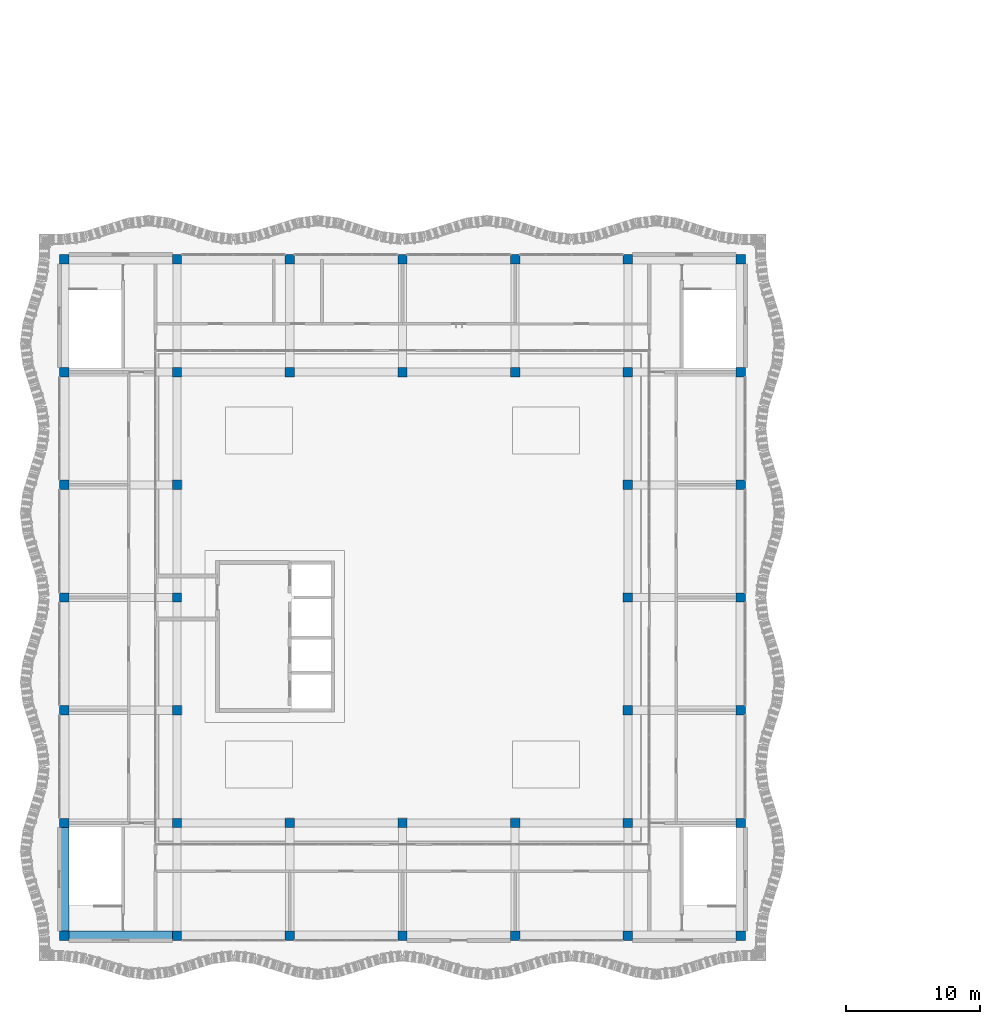
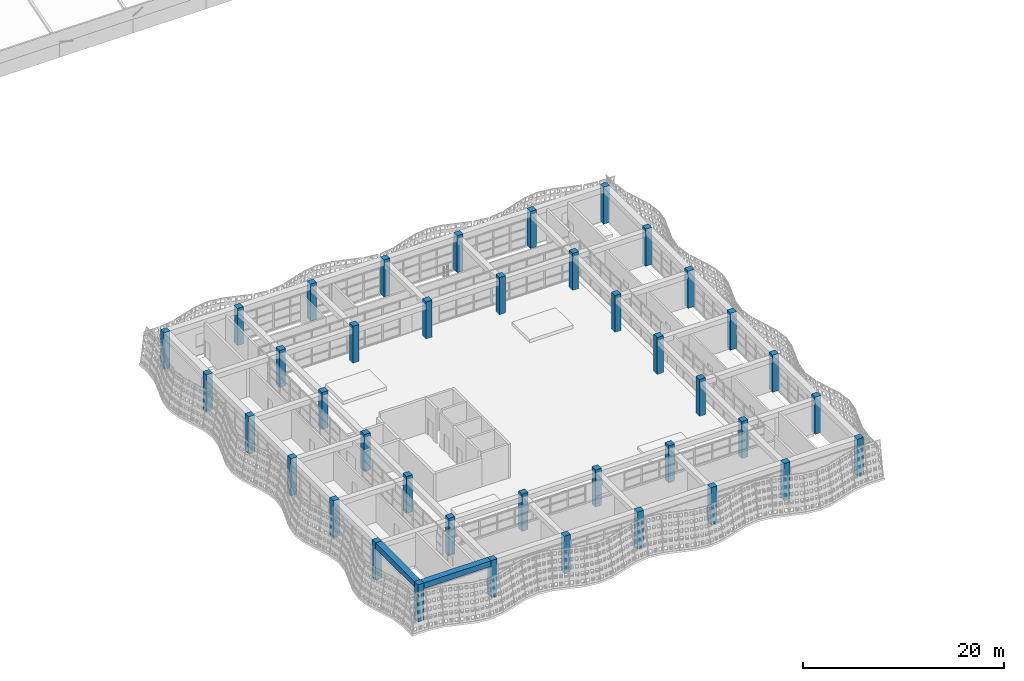
# One storey, part 1 of 85: 40 columns, 2 beams.
"""IFC4 building model written with IfcOpenShell, lengths in metres."""

from ifc_helpers import new_model, si_unit, direction, frame, origin, origin_2d, place, context, subcontext, project, spatial, rectangle, extrude, material, material_profile, profile_set, type_object, element, save


model = new_model("IFC4")

# Units and contexts
model_context = context("Model", 3, precision=1e-05, world=origin(), true_north=direction((0.0, 1.0)))
body_context = subcontext(model_context, "Body", "Model", "MODEL_VIEW")
ifc_project = project(units=[si_unit("LENGTHUNIT", "METRE"), si_unit("AREAUNIT", "SQUARE_METRE"), si_unit("VOLUMEUNIT", "CUBIC_METRE"), si_unit("PLANEANGLEUNIT", "RADIAN"), si_unit("MASSUNIT", "GRAM", prefix="KILO")], contexts=[model_context])

# Site, building, storey
site_placement = place(None, origin())
site = spatial("IfcSite", under=ifc_project, at=site_placement, CompositionType="ELEMENT")
building_placement = place(site_placement, origin())
building = spatial("IfcBuilding", under=site, at=building_placement, Name="Rain Tree Exposition and Congress Centre", CompositionType="ELEMENT")
storey_placement = place(building_placement, frame((0.0, 0.0, 15.0)))
storey = spatial("IfcBuildingStorey", under=building, at=storey_placement, Name="L03", CompositionType="ELEMENT", Elevation=15.0)

# Columns
ifc_material_1 = material(Name="Precast concrete C50/60", Category="concrete")
ifc_material_profile_1 = material_profile(ifc_material_1, rectangle(XDim=0.699951171875, YDim=0.699951171875, at=origin_2d()), Name="RC 700x700")
ifc_profile_set_1 = profile_set([ifc_material_profile_1], Name="Precast concrete C50/60")
column_type = type_object("IfcColumnType", Name="Precast column 700x700", PredefinedType="COLUMN", material=ifc_profile_set_1)
for number, where, z_axis, x_axis, name in (
    (1, (0.0, 0.0, 0.0), (0.0, 0.0, 1.0), (1.0, 0.0, 0.0), "wing/column/L03/00000-00000"),
    (2, (0.0, 8.39990234375, 0.0), (0.0, 0.0, 1.0), (1.0, 0.0, 0.0), "wing/column/L03/00000-08400"),
    (3, (0.0, 16.800048828125, 0.0), (0.0, 0.0, 1.0), (1.0, 0.0, 0.0), "wing/column/L03/00000-16800"),
    (4, (0.0, 25.199951171875, 0.0), (0.0, 0.0, 1.0), (1.0, 0.0, 0.0), "wing/column/L03/00000-25200"),
    (5, (0.0, 33.60009765625, 0.0), (0.0, 0.0, 1.0), (1.0, 0.0, 0.0), "wing/column/L03/00000-33600"),
    (6, (0.0, 42.0, 0.0), (0.0, 0.0, 1.0), (1.0, 0.0, 0.0), "wing/column/L03/00000-42000"),
    (7, (0.0, 50.39990234375, 0.0), (0.0, 0.0, 1.0), (1.0, 0.0, 0.0), "wing/column/L03/00000-50400"),
    (8, (8.39990234375, 0.0, 0.0), (0.0, 0.0, 1.0), (1.0, 0.0, 0.0), "wing/column/L03/08400-00000"),
    (9, (8.39990234375, 8.39990234375, 0.0), (0.0, 0.0, 1.0), (1.0, 0.0, 0.0), "wing/column/L03/08400-08400"),
    (10, (8.39990234375, 16.800048828125, 0.0), (0.0, 0.0, 1.0), (1.0, 0.0, 0.0), "wing/column/L03/08400-16800"),
    (11, (8.39990234375, 25.199951171875, 0.0), (0.0, 0.0, 1.0), (1.0, 0.0, 0.0), "wing/column/L03/08400-25200"),
    (12, (8.39990234375, 33.60009765625, 0.0), (0.0, 0.0, 1.0), (1.0, 0.0, 0.0), "wing/column/L03/08400-33600"),
    (13, (8.39990234375, 42.0, 0.0), (0.0, 0.0, 1.0), (1.0, 0.0, 0.0), "wing/column/L03/08400-42000"),
    (14, (8.39990234375, 50.39990234375, 0.0), (0.0, 0.0, 1.0), (1.0, 0.0, 0.0), "wing/column/L03/08400-50400"),
    (15, (16.800048828125, 0.0, 0.0), (0.0, 0.0, 1.0), (1.0, 0.0, 0.0), "wing/column/L03/16800-00000"),
    (16, (16.800048828125, 8.39990234375, 0.0), (0.0, 0.0, 1.0), (1.0, 0.0, 0.0), "wing/column/L03/16800-08400"),
    (17, (16.800048828125, 42.0, 0.0), (0.0, 0.0, 1.0), (1.0, 0.0, 0.0), "wing/column/L03/16800-42000"),
    (18, (16.800048828125, 50.39990234375, 0.0), (0.0, 0.0, 1.0), (1.0, 0.0, 0.0), "wing/column/L03/16800-50400"),
    (19, (25.199951171875, 0.0, 0.0), (0.0, 0.0, 1.0), (1.0, 0.0, 0.0), "wing/column/L03/25200-00000"),
    (20, (25.199951171875, 8.39990234375, 0.0), (0.0, 0.0, 1.0), (1.0, 0.0, 0.0), "wing/column/L03/25200-08400"),
    (21, (25.199951171875, 42.0, 0.0), (0.0, 0.0, 1.0), (1.0, 0.0, 0.0), "wing/column/L03/25200-42000"),
    (22, (25.199951171875, 50.39990234375, 0.0), (0.0, 0.0, 1.0), (1.0, 0.0, 0.0), "wing/column/L03/25200-50400"),
    (23, (33.60009765625, 0.0, 0.0), (0.0, 0.0, 1.0), (1.0, 0.0, 0.0), "wing/column/L03/33600-00000"),
    (24, (33.60009765625, 8.39990234375, 0.0), (0.0, 0.0, 1.0), (1.0, 0.0, 0.0), "wing/column/L03/33600-08400"),
    (25, (33.60009765625, 42.0, 0.0), (0.0, 0.0, 1.0), (1.0, 0.0, 0.0), "wing/column/L03/33600-42000"),
    (26, (33.60009765625, 50.39990234375, 0.0), (0.0, 0.0, 1.0), (1.0, 0.0, 0.0), "wing/column/L03/33600-50400"),
    (27, (42.0, 0.0, 0.0), (0.0, 0.0, 1.0), (1.0, 0.0, 0.0), "wing/column/L03/42000-00000"),
    (28, (42.0, 8.39990234375, 0.0), (0.0, 0.0, 1.0), (1.0, 0.0, 0.0), "wing/column/L03/42000-08400"),
    (29, (42.0, 16.800048828125, 0.0), (0.0, 0.0, 1.0), (1.0, 0.0, 0.0), "wing/column/L03/42000-16800"),
    (30, (42.0, 25.199951171875, 0.0), (0.0, 0.0, 1.0), (1.0, 0.0, 0.0), "wing/column/L03/42000-25200"),
    (31, (42.0, 33.60009765625, 0.0), (0.0, 0.0, 1.0), (1.0, 0.0, 0.0), "wing/column/L03/42000-33600"),
    (32, (42.0, 42.0, 0.0), (0.0, 0.0, 1.0), (1.0, 0.0, 0.0), "wing/column/L03/42000-42000"),
    (33, (42.0, 50.39990234375, 0.0), (0.0, 0.0, 1.0), (1.0, 0.0, 0.0), "wing/column/L03/42000-50400"),
    (34, (50.39990234375, 0.0, 0.0), (0.0, 0.0, 1.0), (1.0, 0.0, 0.0), "wing/column/L03/50400-00000"),
    (35, (50.39990234375, 8.39990234375, 0.0), (0.0, 0.0, 1.0), (1.0, 0.0, 0.0), "wing/column/L03/50400-08400"),
    (36, (50.39990234375, 16.800048828125, 0.0), (0.0, 0.0, 1.0), (1.0, 0.0, 0.0), "wing/column/L03/50400-16800"),
    (37, (50.39990234375, 25.199951171875, 0.0), (0.0, 0.0, 1.0), (1.0, 0.0, 0.0), "wing/column/L03/50400-25200"),
    (38, (50.39990234375, 33.60009765625, 0.0), (0.0, 0.0, 1.0), (1.0, 0.0, 0.0), "wing/column/L03/50400-33600"),
    (39, (50.39990234375, 42.0, 0.0), (0.0, 0.0, 1.0), (1.0, 0.0, 0.0), "wing/column/L03/50400-42000"),
    (40, (50.39990234375, 50.39990234375, 0.0), (0.0, 0.0, 1.0), (1.0, 0.0, 0.0), "wing/column/L03/50400-50400"),
):
    element("IfcColumn", number, at=place(storey_placement, frame(where, z_axis=z_axis, x_axis=x_axis)), inside=storey, type_object=column_type, Name=name, PredefinedType="COLUMN", context=body_context, shape_type="SweptSolid", body=[
        extrude(rectangle(XDim=0.699951171875, YDim=0.699951171875, at=origin_2d()), origin(), (0.0, 0.0, 1.0), 4.5),
    ])

# Beams
ifc_material_2 = material(Name="Precast concrete C50/60", Category="concrete")
ifc_material_profile_2 = material_profile(ifc_material_2, rectangle(XDim=0.699951171875, YDim=0.699951171875, at=origin_2d()), Name="RC 700x700")
ifc_profile_set_2 = profile_set([ifc_material_profile_2], Name="Precast concrete C50/60")
beam_type = type_object("IfcBeamType", Name="Precast spandrel beam 700x700", PredefinedType="SPANDREL", material=ifc_profile_set_2)
for number, where, z_axis, x_axis, name in (
    (41, (0.35009765625, 0.0, 4.14990234375), (1.0, 0.0, 0.0), (0.0, 1.0, 0.0), "wing/beam/L03/RF/001"),
    (42, (0.0, 0.35009765625, 4.14990234375), (0.0, 1.0, 0.0), (-1.0, 0.0, 0.0), "wing/beam/L03/RF/002"),
):
    element("IfcBeam", number, at=place(storey_placement, frame(where, z_axis=z_axis, x_axis=x_axis)), inside=storey, type_object=beam_type, Name=name, PredefinedType="SPANDREL", context=body_context, shape_type="SweptSolid", body=[
        extrude(rectangle(XDim=0.699951171875, YDim=0.699951171875, at=origin_2d()), origin(), (0.0, 0.0, 1.0), 7.699951171875),
    ])

save(model, "model.ifc")
